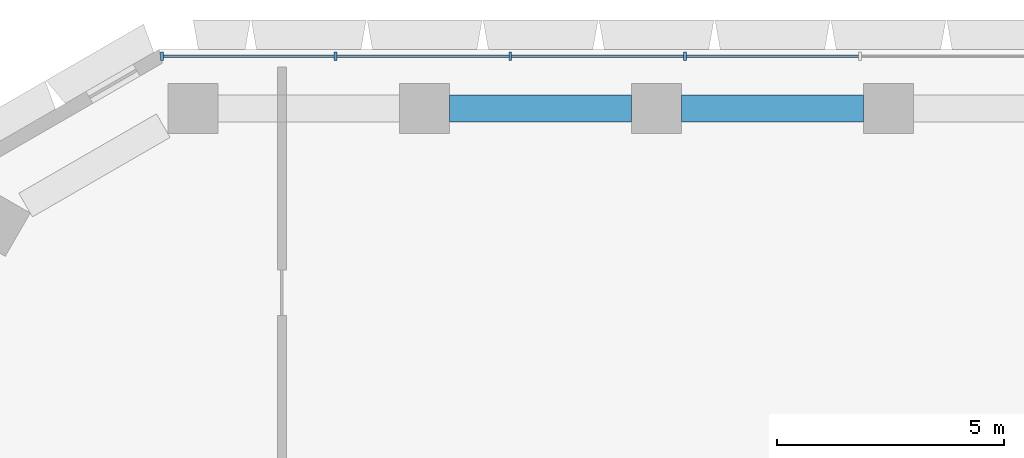
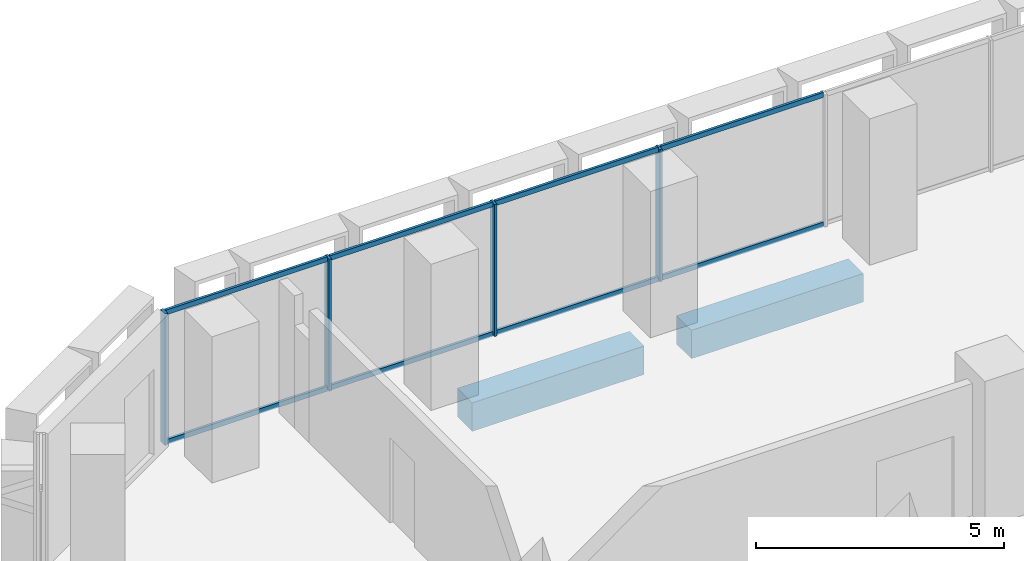
# One storey, part 7 of 22: 12 members, 2 beams, 1 element without a shape of its own.
"""IFC4 building model written with IfcOpenShell, lengths in metres."""

from ifc_helpers import new_model, si_unit, direction, frame, origin, origin_2d, place, context, subcontext, project, spatial, rectangle, hollow_rectangle, extrude, material, material_profile, profile_set, type_object, element, aggregate, save


model = new_model("IFC4")

# Units and contexts
model_context = context("Model", 3, precision=1e-05, world=origin(), true_north=direction((0.0, 1.0)))
body_context = subcontext(model_context, "Body", "Model", "MODEL_VIEW")
ifc_project = project(units=[si_unit("LENGTHUNIT", "METRE"), si_unit("AREAUNIT", "SQUARE_METRE"), si_unit("VOLUMEUNIT", "CUBIC_METRE"), si_unit("PLANEANGLEUNIT", "RADIAN"), si_unit("MASSUNIT", "GRAM", prefix="KILO")], contexts=[model_context])

# Site, building, storey
site_placement = place(None, origin())
site = spatial("IfcSite", under=ifc_project, at=site_placement, CompositionType="ELEMENT")
building_placement = place(site_placement, origin())
building = spatial("IfcBuilding", under=site, at=building_placement, Name="Beryl Residences", CompositionType="ELEMENT")
storey_placement = place(building_placement, frame((0.0, 0.0, 12.60009765625)))
storey = spatial("IfcBuildingStorey", under=building, at=storey_placement, Name="L03", CompositionType="ELEMENT", Elevation=12.60009765625)

# Curtain wall, members
ifc_material_1 = material(Name="Aluminium and clear glass", Category="aluminium")
curtain_wall_type = type_object("IfcCurtainWallType", Name="CW2 amenity glazing glazed wall", PredefinedType="NOTDEFINED", material=ifc_material_1)
curtain_wall_placement = place(storey_placement, origin())
curtain_wall = element("IfcCurtainWall", 1, at=curtain_wall_placement, inside=storey, type_object=curtain_wall_type, Name="CW2 L03 N", PredefinedType="NOTDEFINED")
ifc_material_2 = material(Name="Aluminium", Category="aluminium")
ifc_material_profile_1 = material_profile(ifc_material_2, rectangle(XDim=0.06005859375, YDim=0.179931640625, at=origin_2d()))
ifc_profile_set_1 = profile_set([ifc_material_profile_1], Name="Aluminium")
member_type_1 = type_object("IfcMemberType", Name="CW2-M mullion 60 x 180 mm", PredefinedType="MULLION", material=ifc_profile_set_1)
member_1_placement = place(storey_placement, frame((-1.92431640625, 28.25, 0.0), z_axis=(0.0, 0.0, 1.0), x_axis=(-1.0, 0.0, 0.0)))
member_1 = element("IfcMember", 2, at=member_1_placement, type_object=member_type_1, Name="CW2 mullion 5", PredefinedType="MULLION", context=body_context, shape_type="SweptSolid", body=[
    extrude(rectangle(XDim=0.06005859375, YDim=0.179931640625, at=origin_2d()), origin(), (0.0, 0.0, 1.0), 3.25),
])
member_2_placement = place(storey_placement, frame((-5.77294921875, 28.25, 0.0), z_axis=(0.0, 0.0, 1.0), x_axis=(-1.0, 0.0, 0.0)))
member_2 = element("IfcMember", 3, at=member_2_placement, type_object=member_type_1, Name="CW2 mullion 6", PredefinedType="MULLION", context=body_context, shape_type="SweptSolid", body=[
    extrude(rectangle(XDim=0.06005859375, YDim=0.179931640625, at=origin_2d()), origin(), (0.0, 0.0, 1.0), 3.25),
])
member_3_placement = place(storey_placement, frame((-9.621337890625, 28.25, 0.0), z_axis=(0.0, 0.0, 1.0), x_axis=(-1.0, 0.0, 0.0)))
member_3 = element("IfcMember", 4, at=member_3_placement, type_object=member_type_1, Name="CW2 mullion 7", PredefinedType="MULLION", context=body_context, shape_type="SweptSolid", body=[
    extrude(rectangle(XDim=0.06005859375, YDim=0.179931640625, at=origin_2d()), origin(), (0.0, 0.0, 1.0), 3.25),
])
member_4_placement = place(storey_placement, frame((-13.43994140625, 28.25, 0.0), z_axis=(0.0, 0.0, 1.0), x_axis=(-1.0, 0.0, 0.0)))
member_4 = element("IfcMember", 5, at=member_4_placement, type_object=member_type_1, Name="CW2 mullion 8", PredefinedType="MULLION", context=body_context, shape_type="SweptSolid", body=[
    extrude(rectangle(XDim=0.06005859375, YDim=0.179931640625, at=origin_2d()), origin(), (0.0, 0.0, 1.0), 3.25),
])
ifc_material_3 = material(Name="Aluminium", Category="aluminium")
ifc_material_profile_2 = material_profile(ifc_material_3, hollow_rectangle(XDim=0.06005859375, YDim=0.1201171875, WallThickness=0.00390625, at=origin_2d()))
ifc_profile_set_2 = profile_set([ifc_material_profile_2], Name="Aluminium")
member_type_2 = type_object("IfcMemberType", Name="CW2-T transom 60 x 120 mm", PredefinedType="USERDEFINED", material=ifc_profile_set_2)
member_5_placement = place(storey_placement, frame((1.894287109375, 28.25, 0.02978515625), z_axis=(-1.0, 0.0, 0.0), x_axis=(0.0, -1.0, 0.0)))
member_5 = element("IfcMember", 6, at=member_5_placement, type_object=member_type_2, Name="CW2 transom 4.1", ObjectType="TRANSOM", PredefinedType="USERDEFINED", context=body_context, shape_type="SweptSolid", body=[
    extrude(hollow_rectangle(XDim=0.06005859375, YDim=0.1201171875, WallThickness=0.00390625, at=origin_2d()), origin(), (0.0, 0.0, 1.0), 3.78857421875),
])
member_6_placement = place(storey_placement, frame((1.894287109375, 28.25, 3.219970703125), z_axis=(-1.0, 0.0, 0.0), x_axis=(0.0, -1.0, 0.0)))
member_6 = element("IfcMember", 7, at=member_6_placement, type_object=member_type_2, Name="CW2 transom 4.2", ObjectType="TRANSOM", PredefinedType="USERDEFINED", context=body_context, shape_type="SweptSolid", body=[
    extrude(hollow_rectangle(XDim=0.06005859375, YDim=0.1201171875, WallThickness=0.00390625, at=origin_2d()), origin(), (0.0, 0.0, 1.0), 3.78857421875),
])
member_7_placement = place(storey_placement, frame((-1.954345703125, 28.25, 0.02978515625), z_axis=(-1.0, 0.0, 0.0), x_axis=(0.0, -1.0, 0.0)))
member_7 = element("IfcMember", 8, at=member_7_placement, type_object=member_type_2, Name="CW2 transom 5.1", ObjectType="TRANSOM", PredefinedType="USERDEFINED", context=body_context, shape_type="SweptSolid", body=[
    extrude(hollow_rectangle(XDim=0.06005859375, YDim=0.1201171875, WallThickness=0.00390625, at=origin_2d()), origin(), (0.0, 0.0, 1.0), 3.78857421875),
])
member_8_placement = place(storey_placement, frame((-1.954345703125, 28.25, 3.219970703125), z_axis=(-1.0, 0.0, 0.0), x_axis=(0.0, -1.0, 0.0)))
member_8 = element("IfcMember", 9, at=member_8_placement, type_object=member_type_2, Name="CW2 transom 5.2", ObjectType="TRANSOM", PredefinedType="USERDEFINED", context=body_context, shape_type="SweptSolid", body=[
    extrude(hollow_rectangle(XDim=0.06005859375, YDim=0.1201171875, WallThickness=0.00390625, at=origin_2d()), origin(), (0.0, 0.0, 1.0), 3.78857421875),
])
member_9_placement = place(storey_placement, frame((-5.802978515625, 28.25, 0.02978515625), z_axis=(-1.0, 0.0, 0.0), x_axis=(0.0, -1.0, 0.0)))
member_9 = element("IfcMember", 10, at=member_9_placement, type_object=member_type_2, Name="CW2 transom 6.1", ObjectType="TRANSOM", PredefinedType="USERDEFINED", context=body_context, shape_type="SweptSolid", body=[
    extrude(hollow_rectangle(XDim=0.06005859375, YDim=0.1201171875, WallThickness=0.00390625, at=origin_2d()), origin(), (0.0, 0.0, 1.0), 3.788330078125),
])
member_10_placement = place(storey_placement, frame((-5.802978515625, 28.25, 3.219970703125), z_axis=(-1.0, 0.0, 0.0), x_axis=(0.0, -1.0, 0.0)))
member_10 = element("IfcMember", 11, at=member_10_placement, type_object=member_type_2, Name="CW2 transom 6.2", ObjectType="TRANSOM", PredefinedType="USERDEFINED", context=body_context, shape_type="SweptSolid", body=[
    extrude(hollow_rectangle(XDim=0.06005859375, YDim=0.1201171875, WallThickness=0.00390625, at=origin_2d()), origin(), (0.0, 0.0, 1.0), 3.788330078125),
])
member_11_placement = place(storey_placement, frame((-9.6513671875, 28.25, 0.02978515625), z_axis=(-1.0, 0.0, 0.0), x_axis=(0.0, -1.0, 0.0)))
member_11 = element("IfcMember", 12, at=member_11_placement, type_object=member_type_2, Name="CW2 transom 7.1", ObjectType="TRANSOM", PredefinedType="USERDEFINED", context=body_context, shape_type="SweptSolid", body=[
    extrude(hollow_rectangle(XDim=0.06005859375, YDim=0.1201171875, WallThickness=0.00390625, at=origin_2d()), origin(), (0.0, 0.0, 1.0), 3.758544921875),
])
member_12_placement = place(storey_placement, frame((-9.6513671875, 28.25, 3.219970703125), z_axis=(-1.0, 0.0, 0.0), x_axis=(0.0, -1.0, 0.0)))
member_12 = element("IfcMember", 13, at=member_12_placement, type_object=member_type_2, Name="CW2 transom 7.2", ObjectType="TRANSOM", PredefinedType="USERDEFINED", context=body_context, shape_type="SweptSolid", body=[
    extrude(hollow_rectangle(XDim=0.06005859375, YDim=0.1201171875, WallThickness=0.00390625, at=origin_2d()), origin(), (0.0, 0.0, 1.0), 3.758544921875),
])
aggregate(curtain_wall, [member_1, member_2, member_3, member_4, member_5, member_6, member_7, member_8, member_9, member_10, member_11, member_12])

# Beams
ifc_material_4 = material(Name="Concrete C80/95", Category="concrete")
ifc_material_profile_3 = material_profile(ifc_material_4, rectangle(XDim=0.60009765625, YDim=0.699951171875, at=origin_2d()))
ifc_profile_set_3 = profile_set([ifc_material_profile_3], Name="Concrete C80/95")
beam_type = type_object("IfcBeamType", Name="SB1 spandrel beam 600 x 700 C80/95", PredefinedType="SPANDREL", material=ifc_profile_set_3)
for number, where, z_axis, x_axis, name in (
    (14, (2.0009765625, 27.10009765625, -0.7001953125), (-1.0, 0.0, 0.0), (0.0, -1.0, 0.0), "SB1 L03 N-2"),
    (15, (-3.10302734375, 27.10009765625, -0.7001953125), (-1.0, 0.0, 0.0), (0.0, -1.0, 0.0), "SB1 L03 N-3"),
):
    element("IfcBeam", number, at=place(storey_placement, frame(where, z_axis=z_axis, x_axis=x_axis)), inside=storey, type_object=beam_type, Name=name, PredefinedType="SPANDREL", context=body_context, shape_type="SweptSolid", body=[
        extrude(rectangle(XDim=0.60009765625, YDim=0.699951171875, at=origin_2d()), origin(), (0.0, 0.0, 1.0), 4.00390625),
    ])

save(model, "model.ifc")
